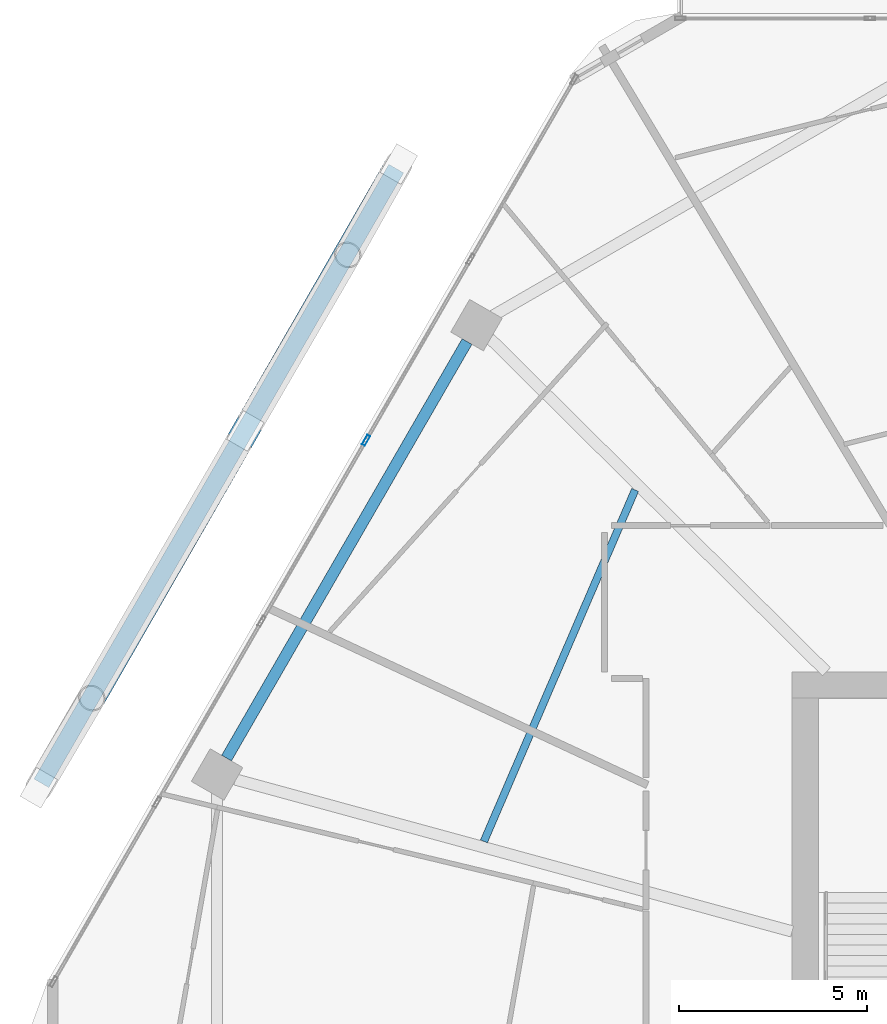
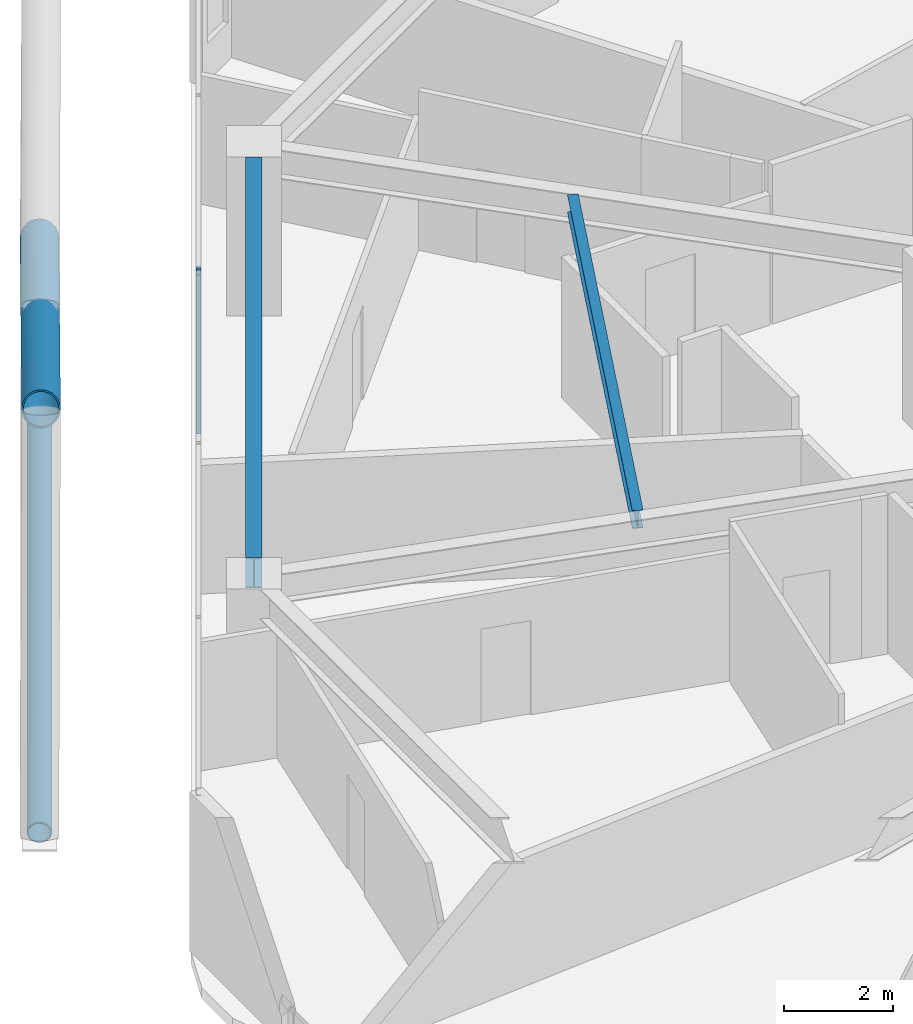
# One storey, part 11 of 29: 3 members, 2 beams, 1 element without a shape of its own.
"""IFC4 building model written with IfcOpenShell, lengths in metres."""

from ifc_helpers import new_model, si_unit, direction, frame, origin, origin_2d, place, context, subcontext, project, spatial, hollow_rectangle, hollow_circle, i_section, extrude, material, material_profile, profile_set, type_object, element, aggregate, save


model = new_model("IFC4")

# Units and contexts
model_context = context("Model", 3, precision=1e-05, world=origin(), true_north=direction((0.0, 1.0)))
body_context = subcontext(model_context, "Body", "Model", "MODEL_VIEW")
ifc_project = project(units=[si_unit("LENGTHUNIT", "METRE"), si_unit("AREAUNIT", "SQUARE_METRE"), si_unit("VOLUMEUNIT", "CUBIC_METRE"), si_unit("PLANEANGLEUNIT", "RADIAN"), si_unit("MASSUNIT", "GRAM", prefix="KILO")], contexts=[model_context])

# Site, building, storey
site_placement = place(None, origin())
site = spatial("IfcSite", under=ifc_project, at=site_placement, CompositionType="ELEMENT")
building_placement = place(site_placement, origin())
building = spatial("IfcBuilding", under=site, at=building_placement, Name="Zuhravey Tower", CompositionType="ELEMENT")
storey_placement = place(building_placement, frame((0.0, 0.0, 161.800048828125)))
storey = spatial("IfcBuildingStorey", under=building, at=storey_placement, Name="L40", CompositionType="ELEMENT", Elevation=161.800048828125)

# Curtain wall, member
ifc_material_1 = material(Name="Thermally broken anodised aluminium", Category="aluminium")
curtain_wall_type = type_object("IfcCurtainWallType", Name="Zone 1-2 Residential Curtain Wall CW3", PredefinedType="NOTDEFINED", material=ifc_material_1)
curtain_wall_placement = place(storey_placement, origin())
curtain_wall = element("IfcCurtainWall", 1, at=curtain_wall_placement, inside=storey, type_object=curtain_wall_type, Name="L40 CW3 CW-L40-F3-1", PredefinedType="NOTDEFINED")
ifc_material_2 = material(Name="Anodised aluminium", Category="aluminium")
ifc_material_profile_1 = material_profile(ifc_material_2, hollow_rectangle(XDim=0.090087890625, YDim=0.284912109375, WallThickness=0.0048828125, at=origin_2d()), Name="ALU-RHS-90x285x5")
ifc_profile_set_1 = profile_set([ifc_material_profile_1], Name="Anodised aluminium")
member_type_1 = type_object("IfcMemberType", Name="Curtain-Wall Mullion 90x180", PredefinedType="MULLION", material=ifc_profile_set_1)
member_1_placement = place(storey_placement, frame((13.844970703125, 47.992431640625, 0.0), z_axis=(0.0, 0.0, 1.0), x_axis=(-0.866025138215, 0.500000459979, 0.0)))
member_1 = element("IfcMember", 2, at=member_1_placement, type_object=member_type_1, Name="CW3 mullion 4", PredefinedType="MULLION", context=body_context, shape_type="SweptSolid", body=[
    extrude(hollow_rectangle(XDim=0.090087890625, YDim=0.284912109375, WallThickness=0.0048828125, at=origin_2d()), origin(), (0.0, 0.0, 1.0), 3.550048828125),
])
aggregate(curtain_wall, [member_1])

# Members
ifc_material_3 = material(Name="Steel SM355", Category="steel")
ifc_material_profile_2 = material_profile(ifc_material_3, hollow_circle(Radius=0.228515625, WallThickness=0.02197265625, at=origin_2d()), Name="CHS-457.2x22")
ifc_profile_set_2 = profile_set([ifc_material_profile_2], Name="Steel SM355")
member_type_2 = type_object("IfcMemberType", Name="Exoskeleton Ring Tie CHS457x22", PredefinedType="CHORD", material=ifc_profile_set_2)
member_2_placement = place(storey_placement, frame((14.64599609375, 55.2001953125, -0.464111328125), z_axis=(-0.499989194203, -0.866031642424, 0.0), x_axis=(0.866031642424, -0.499989194203, 0.0)))
element("IfcMember", 3, at=member_2_placement, inside=storey, type_object=member_type_2, Name="L40 Exoskeleton Face 3 Tie EXR1", PredefinedType="CHORD", context=body_context, shape_type="SweptSolid", body=[
    extrude(hollow_circle(Radius=0.228515625, WallThickness=0.02197265625, at=origin_2d()), origin(), (0.0, 0.0, 1.0), 18.830078125),
])
ifc_material_4 = material(Name="Steel SM460", Category="steel")
ifc_material_profile_3 = material_profile(ifc_material_4, hollow_circle(Radius=0.355712890625, WallThickness=0.031982421875, at=origin_2d()), Name="CHS-711.2x32")
ifc_profile_set_3 = profile_set([ifc_material_profile_3], Name="Steel SM460")
member_type_3 = type_object("IfcMemberType", Name="Exoskeleton Zone 2 Diagrid CHS711x32", PredefinedType="BRACE", material=ifc_profile_set_3)
member_3_placement = place(storey_placement, frame((14.694580078125, 55.2841796875, -0.444091796875), z_axis=(-0.451894795802, -0.786041396785, 0.421817515126), x_axis=(0.86694395581, -0.498405635486, 0.0)))
element("IfcMember", 4, at=member_3_placement, inside=storey, type_object=member_type_3, Name="L40 Face 3 Diagrid Brace 2", PredefinedType="BRACE", context=body_context, shape_type="SweptSolid", body=[
    extrude(hollow_circle(Radius=0.355712890625, WallThickness=0.031982421875, at=origin_2d()), origin(), (0.0, 0.0, 1.0), 17.922607421875),
])

# Beams
ifc_material_profile_4 = material_profile(ifc_material_3, i_section(OverallWidth=0.300048828125, OverallDepth=0.679931640625, WebThickness=0.012939453125, FlangeThickness=0.02197265625, at=origin_2d()), Name="H-680x300x13x22")
ifc_profile_set_4 = profile_set([ifc_material_profile_4], Name="Steel SM355")
beam_type_1 = type_object("IfcBeamType", Name="Perimeter Ring Beam H680x300", PredefinedType="BEAM", material=ifc_profile_set_4)
beam_1_placement = place(storey_placement, frame((16.52294921875, 50.611083984375, 3.2099609375), z_axis=(-0.499997974489, -0.866026573211, 0.0), x_axis=(0.866026573211, -0.499997974489, 0.0)))
element("IfcBeam", 5, at=beam_1_placement, inside=storey, type_object=beam_type_1, Name="L40 PB2 BM-L40-PB-05", PredefinedType="BEAM", context=body_context, shape_type="SweptSolid", body=[
    extrude(i_section(OverallWidth=0.300048828125, OverallDepth=0.679931640625, WebThickness=0.012939453125, FlangeThickness=0.02197265625, at=origin_2d()), origin(), (0.0, 0.0, 1.0), 12.75830078125),
])
ifc_material_profile_5 = material_profile(ifc_material_3, i_section(OverallWidth=0.199951171875, OverallDepth=0.39990234375, WebThickness=0.008056640625, FlangeThickness=0.012939453125, at=origin_2d()), Name="H-400x200x8x13")
ifc_profile_set_5 = profile_set([ifc_material_profile_5], Name="Steel SM355")
beam_type_2 = type_object("IfcBeamType", Name="Secondary Floor Joist H400x200", PredefinedType="JOIST", material=ifc_profile_set_5)
beam_2_placement = place(storey_placement, frame((20.982421875, 46.676025390625, 3.349853515625), z_axis=(-0.395265853487, -0.918566766799, 0.0), x_axis=(0.918566766799, -0.395265853487, 0.0)))
element("IfcBeam", 6, at=beam_2_placement, inside=storey, type_object=beam_type_2, Name="L40 SJ2 BM-L40-SJ-05-1", PredefinedType="JOIST", context=body_context, shape_type="SweptSolid", body=[
    extrude(i_section(OverallWidth=0.199951171875, OverallDepth=0.39990234375, WebThickness=0.008056640625, FlangeThickness=0.012939453125, at=origin_2d()), origin(), (0.0, 0.0, 1.0), 10.150146484375),
])

save(model, "model.ifc")
